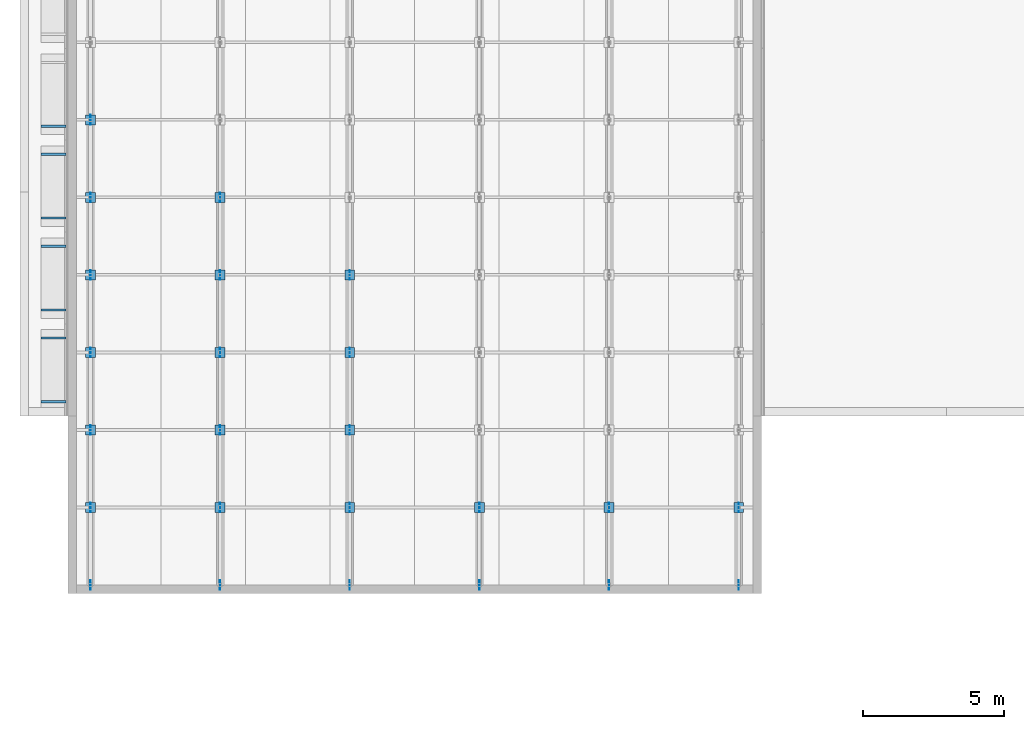
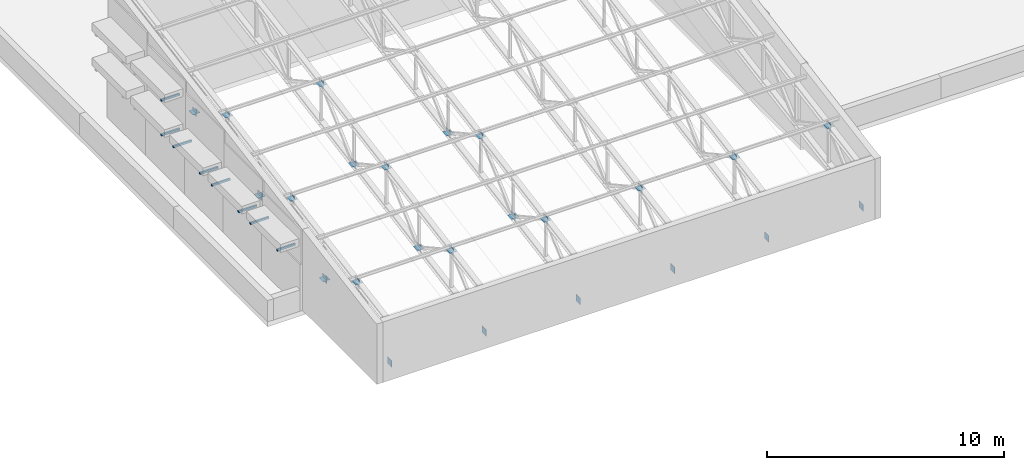
# One storey, part 15 of 22: 50 discrete accessories.
"""IFC4 building model written with IfcOpenShell, lengths in metres."""

from ifc_helpers import new_model, si_unit, direction, frame, origin, origin_2d, place, context, subcontext, project, spatial, rectangle, extrude, material, layer, layer_set, type_object, element, save


model = new_model("IFC4")

# Units and contexts
model_context = context("Model", 3, precision=1e-05, world=origin(), true_north=direction((0.0, 1.0)))
body_context = subcontext(model_context, "Body", "Model", "MODEL_VIEW")
ifc_project = project(units=[si_unit("LENGTHUNIT", "METRE"), si_unit("AREAUNIT", "SQUARE_METRE"), si_unit("VOLUMEUNIT", "CUBIC_METRE"), si_unit("PLANEANGLEUNIT", "RADIAN"), si_unit("MASSUNIT", "GRAM", prefix="KILO")], contexts=[model_context])

# Site, building, storey
site_placement = place(None, origin())
site = spatial("IfcSite", under=ifc_project, at=site_placement, CompositionType="ELEMENT")
building_placement = place(site_placement, origin())
building = spatial("IfcBuilding", under=site, at=building_placement, Name="Lunette Opera House", CompositionType="ELEMENT")
storey_placement = place(building_placement, frame((0.0, 0.0, 28.0)))
storey = spatial("IfcBuildingStorey", under=building, at=storey_placement, Name="L05", CompositionType="ELEMENT", Elevation=28.0)

# Discrete accessories
ifc_material_1 = material(Name="Steel S355", Category="steel")
ifc_layer = layer(ifc_material_1, 0.011962890625)
ifc_layer_set = layer_set([ifc_layer], Name="Steel S355")
discrete_accessory_type_1 = type_object("IfcDiscreteAccessoryType", Name="BRACE GUSSET PLATE 12", PredefinedType="USERDEFINED", material=ifc_layer_set)
for number, where, z_axis, x_axis, name in (
    (1, (10.5, 66.0, 0.52001953125), (0.0, 0.0, 1.0), (0.0, 1.0, 0.0), "Gusset plate 350"),
    (2, (10.5, 68.75, 3.0048828125), (0.0, 0.0, 1.0), (0.0, 1.0, 0.0), "Gusset plate 351"),
):
    element("IfcDiscreteAccessory", number, at=place(storey_placement, frame(where, z_axis=z_axis, x_axis=x_axis)), inside=storey, type_object=discrete_accessory_type_1, Name=name, ObjectType="GUSSET PLATE", PredefinedType="USERDEFINED", context=body_context, shape_type="SweptSolid", body=[
        extrude(rectangle(XDim=0.35009765625, YDim=0.011962890625, at=origin_2d()), origin(), (0.0, 0.0, 1.0), 0.35009765625),
    ])
for number, where, z_axis, x_axis, name in (
    (3, (10.5, 68.75, 3.173828125), (0.0, 0.0, 1.0), (0.0, 1.0, 0.0), "Gusset plate 352"),
    (4, (10.5, 71.5, 1.6591796875), (0.0, 0.0, 1.0), (0.0, 1.0, 0.0), "Gusset plate 353"),
):
    element("IfcDiscreteAccessory", number, at=place(storey_placement, frame(where, z_axis=z_axis, x_axis=x_axis)), inside=storey, type_object=discrete_accessory_type_1, Name=name, ObjectType="GUSSET PLATE", PredefinedType="USERDEFINED", context=body_context, shape_type="SweptSolid", body=[
        extrude(rectangle(XDim=0.35009765625, YDim=0.35009765625, at=origin_2d()), origin(), (0.0, 0.0, 1.0), 0.011962890625),
    ])
for number, where, z_axis, x_axis, name in (
    (5, (10.5, 71.5, 1.489990234375), (0.0, 0.0, 1.0), (0.0, 1.0, 0.0), "Gusset plate 354"),
    (6, (10.5, 74.25, 3.974853515625), (0.0, 0.0, 1.0), (0.0, 1.0, 0.0), "Gusset plate 355"),
):
    element("IfcDiscreteAccessory", number, at=place(storey_placement, frame(where, z_axis=z_axis, x_axis=x_axis)), inside=storey, type_object=discrete_accessory_type_1, Name=name, ObjectType="GUSSET PLATE", PredefinedType="USERDEFINED", context=body_context, shape_type="SweptSolid", body=[
        extrude(rectangle(XDim=0.35009765625, YDim=0.011962890625, at=origin_2d()), origin(), (0.0, 0.0, 1.0), 0.35009765625),
    ])
for number, where, z_axis, x_axis, name in (
    (7, (10.5, 74.25, 4.14404296875), (0.0, 0.0, 1.0), (0.0, 1.0, 0.0), "Gusset plate 356"),
    (8, (10.5, 77.0, 2.62890625), (0.0, 0.0, 1.0), (0.0, 1.0, 0.0), "Gusset plate 357"),
):
    element("IfcDiscreteAccessory", number, at=place(storey_placement, frame(where, z_axis=z_axis, x_axis=x_axis)), inside=storey, type_object=discrete_accessory_type_1, Name=name, ObjectType="GUSSET PLATE", PredefinedType="USERDEFINED", context=body_context, shape_type="SweptSolid", body=[
        extrude(rectangle(XDim=0.35009765625, YDim=0.35009765625, at=origin_2d()), origin(), (0.0, 0.0, 1.0), 0.011962890625),
    ])
for number, where, z_axis, x_axis, name in (
    (9, (10.5, 77.0, 2.4599609375), (0.0, 0.0, 1.0), (0.0, 1.0, 0.0), "Gusset plate 358"),
    (10, (10.5, 79.75, 4.94384765625), (0.0, 0.0, 1.0), (0.0, 1.0, 0.0), "Gusset plate 359"),
):
    element("IfcDiscreteAccessory", number, at=place(storey_placement, frame(where, z_axis=z_axis, x_axis=x_axis)), inside=storey, type_object=discrete_accessory_type_1, Name=name, ObjectType="GUSSET PLATE", PredefinedType="USERDEFINED", context=body_context, shape_type="SweptSolid", body=[
        extrude(rectangle(XDim=0.35009765625, YDim=0.011962890625, at=origin_2d()), origin(), (0.0, 0.0, 1.0), 0.35009765625),
    ])
for number, where, z_axis, x_axis, name in (
    (11, (10.5, 79.75, 5.11279296875), (0.0, 0.0, 1.0), (0.0, 1.0, 0.0), "Gusset plate 360"),
    (12, (10.5, 82.5, 3.59814453125), (0.0, 0.0, 1.0), (0.0, 1.0, 0.0), "Gusset plate 361"),
):
    element("IfcDiscreteAccessory", number, at=place(storey_placement, frame(where, z_axis=z_axis, x_axis=x_axis)), inside=storey, type_object=discrete_accessory_type_1, Name=name, ObjectType="GUSSET PLATE", PredefinedType="USERDEFINED", context=body_context, shape_type="SweptSolid", body=[
        extrude(rectangle(XDim=0.35009765625, YDim=0.35009765625, at=origin_2d()), origin(), (0.0, 0.0, 1.0), 0.011962890625),
    ])
for number, where, z_axis, x_axis, name in (
    (13, (10.5, 82.5, 3.428955078125), (0.0, 0.0, 1.0), (0.0, 1.0, 0.0), "Gusset plate 362"),
    (14, (15.10009765625, 66.0, 0.52001953125), (0.0, 0.0, 1.0), (0.0, 1.0, 0.0), "Gusset plate 366"),
    (15, (15.10009765625, 68.75, 3.0048828125), (0.0, 0.0, 1.0), (0.0, 1.0, 0.0), "Gusset plate 367"),
):
    element("IfcDiscreteAccessory", number, at=place(storey_placement, frame(where, z_axis=z_axis, x_axis=x_axis)), inside=storey, type_object=discrete_accessory_type_1, Name=name, ObjectType="GUSSET PLATE", PredefinedType="USERDEFINED", context=body_context, shape_type="SweptSolid", body=[
        extrude(rectangle(XDim=0.35009765625, YDim=0.011962890625, at=origin_2d()), origin(), (0.0, 0.0, 1.0), 0.35009765625),
    ])
for number, where, z_axis, x_axis, name in (
    (16, (15.10009765625, 68.75, 3.173828125), (0.0, 0.0, 1.0), (0.0, 1.0, 0.0), "Gusset plate 368"),
    (17, (15.10009765625, 71.5, 1.6591796875), (0.0, 0.0, 1.0), (0.0, 1.0, 0.0), "Gusset plate 369"),
):
    element("IfcDiscreteAccessory", number, at=place(storey_placement, frame(where, z_axis=z_axis, x_axis=x_axis)), inside=storey, type_object=discrete_accessory_type_1, Name=name, ObjectType="GUSSET PLATE", PredefinedType="USERDEFINED", context=body_context, shape_type="SweptSolid", body=[
        extrude(rectangle(XDim=0.35009765625, YDim=0.35009765625, at=origin_2d()), origin(), (0.0, 0.0, 1.0), 0.011962890625),
    ])
for number, where, z_axis, x_axis, name in (
    (18, (15.10009765625, 71.5, 1.489990234375), (0.0, 0.0, 1.0), (0.0, 1.0, 0.0), "Gusset plate 370"),
    (19, (15.10009765625, 74.25, 3.974853515625), (0.0, 0.0, 1.0), (0.0, 1.0, 0.0), "Gusset plate 371"),
):
    element("IfcDiscreteAccessory", number, at=place(storey_placement, frame(where, z_axis=z_axis, x_axis=x_axis)), inside=storey, type_object=discrete_accessory_type_1, Name=name, ObjectType="GUSSET PLATE", PredefinedType="USERDEFINED", context=body_context, shape_type="SweptSolid", body=[
        extrude(rectangle(XDim=0.35009765625, YDim=0.011962890625, at=origin_2d()), origin(), (0.0, 0.0, 1.0), 0.35009765625),
    ])
for number, where, z_axis, x_axis, name in (
    (20, (15.10009765625, 74.25, 4.14404296875), (0.0, 0.0, 1.0), (0.0, 1.0, 0.0), "Gusset plate 372"),
    (21, (15.10009765625, 77.0, 2.62890625), (0.0, 0.0, 1.0), (0.0, 1.0, 0.0), "Gusset plate 373"),
):
    element("IfcDiscreteAccessory", number, at=place(storey_placement, frame(where, z_axis=z_axis, x_axis=x_axis)), inside=storey, type_object=discrete_accessory_type_1, Name=name, ObjectType="GUSSET PLATE", PredefinedType="USERDEFINED", context=body_context, shape_type="SweptSolid", body=[
        extrude(rectangle(XDim=0.35009765625, YDim=0.35009765625, at=origin_2d()), origin(), (0.0, 0.0, 1.0), 0.011962890625),
    ])
for number, where, z_axis, x_axis, name in (
    (22, (15.10009765625, 77.0, 2.4599609375), (0.0, 0.0, 1.0), (0.0, 1.0, 0.0), "Gusset plate 374"),
    (23, (15.10009765625, 79.75, 4.94384765625), (0.0, 0.0, 1.0), (0.0, 1.0, 0.0), "Gusset plate 375"),
):
    element("IfcDiscreteAccessory", number, at=place(storey_placement, frame(where, z_axis=z_axis, x_axis=x_axis)), inside=storey, type_object=discrete_accessory_type_1, Name=name, ObjectType="GUSSET PLATE", PredefinedType="USERDEFINED", context=body_context, shape_type="SweptSolid", body=[
        extrude(rectangle(XDim=0.35009765625, YDim=0.011962890625, at=origin_2d()), origin(), (0.0, 0.0, 1.0), 0.35009765625),
    ])
discrete_accessory_1_placement = place(storey_placement, frame((15.10009765625, 79.75, 5.11279296875), z_axis=(0.0, 0.0, 1.0), x_axis=(0.0, 1.0, 0.0)))
element("IfcDiscreteAccessory", 24, at=discrete_accessory_1_placement, inside=storey, type_object=discrete_accessory_type_1, Name="Gusset plate 376", ObjectType="GUSSET PLATE", PredefinedType="USERDEFINED", context=body_context, shape_type="SweptSolid", body=[
    extrude(rectangle(XDim=0.35009765625, YDim=0.35009765625, at=origin_2d()), origin(), (0.0, 0.0, 1.0), 0.011962890625),
])
for number, where, z_axis, x_axis, name in (
    (25, (19.699951171875, 66.0, 0.52001953125), (0.0, 0.0, 1.0), (0.0, 1.0, 0.0), "Gusset plate 382"),
    (26, (19.699951171875, 68.75, 3.0048828125), (0.0, 0.0, 1.0), (0.0, 1.0, 0.0), "Gusset plate 383"),
):
    element("IfcDiscreteAccessory", number, at=place(storey_placement, frame(where, z_axis=z_axis, x_axis=x_axis)), inside=storey, type_object=discrete_accessory_type_1, Name=name, ObjectType="GUSSET PLATE", PredefinedType="USERDEFINED", context=body_context, shape_type="SweptSolid", body=[
        extrude(rectangle(XDim=0.35009765625, YDim=0.011962890625, at=origin_2d()), origin(), (0.0, 0.0, 1.0), 0.35009765625),
    ])
for number, where, z_axis, x_axis, name in (
    (27, (19.699951171875, 68.75, 3.173828125), (0.0, 0.0, 1.0), (0.0, 1.0, 0.0), "Gusset plate 384"),
    (28, (19.699951171875, 71.5, 1.6591796875), (0.0, 0.0, 1.0), (0.0, 1.0, 0.0), "Gusset plate 385"),
):
    element("IfcDiscreteAccessory", number, at=place(storey_placement, frame(where, z_axis=z_axis, x_axis=x_axis)), inside=storey, type_object=discrete_accessory_type_1, Name=name, ObjectType="GUSSET PLATE", PredefinedType="USERDEFINED", context=body_context, shape_type="SweptSolid", body=[
        extrude(rectangle(XDim=0.35009765625, YDim=0.35009765625, at=origin_2d()), origin(), (0.0, 0.0, 1.0), 0.011962890625),
    ])
for number, where, z_axis, x_axis, name in (
    (29, (19.699951171875, 71.5, 1.489990234375), (0.0, 0.0, 1.0), (0.0, 1.0, 0.0), "Gusset plate 386"),
    (30, (19.699951171875, 74.25, 3.974853515625), (0.0, 0.0, 1.0), (0.0, 1.0, 0.0), "Gusset plate 387"),
):
    element("IfcDiscreteAccessory", number, at=place(storey_placement, frame(where, z_axis=z_axis, x_axis=x_axis)), inside=storey, type_object=discrete_accessory_type_1, Name=name, ObjectType="GUSSET PLATE", PredefinedType="USERDEFINED", context=body_context, shape_type="SweptSolid", body=[
        extrude(rectangle(XDim=0.35009765625, YDim=0.011962890625, at=origin_2d()), origin(), (0.0, 0.0, 1.0), 0.35009765625),
    ])
for number, where, z_axis, x_axis, name in (
    (31, (19.699951171875, 74.25, 4.14404296875), (0.0, 0.0, 1.0), (0.0, 1.0, 0.0), "Gusset plate 388"),
    (32, (19.699951171875, 77.0, 2.62890625), (0.0, 0.0, 1.0), (0.0, 1.0, 0.0), "Gusset plate 389"),
):
    element("IfcDiscreteAccessory", number, at=place(storey_placement, frame(where, z_axis=z_axis, x_axis=x_axis)), inside=storey, type_object=discrete_accessory_type_1, Name=name, ObjectType="GUSSET PLATE", PredefinedType="USERDEFINED", context=body_context, shape_type="SweptSolid", body=[
        extrude(rectangle(XDim=0.35009765625, YDim=0.35009765625, at=origin_2d()), origin(), (0.0, 0.0, 1.0), 0.011962890625),
    ])
for number, where, z_axis, x_axis, name in (
    (33, (19.699951171875, 77.0, 2.4599609375), (0.0, 0.0, 1.0), (0.0, 1.0, 0.0), "Gusset plate 390"),
    (34, (24.300048828125, 66.0, 0.52001953125), (0.0, 0.0, 1.0), (0.0, 1.0, 0.0), "Gusset plate 398"),
    (35, (24.300048828125, 68.75, 3.0048828125), (0.0, 0.0, 1.0), (0.0, 1.0, 0.0), "Gusset plate 399"),
):
    element("IfcDiscreteAccessory", number, at=place(storey_placement, frame(where, z_axis=z_axis, x_axis=x_axis)), inside=storey, type_object=discrete_accessory_type_1, Name=name, ObjectType="GUSSET PLATE", PredefinedType="USERDEFINED", context=body_context, shape_type="SweptSolid", body=[
        extrude(rectangle(XDim=0.35009765625, YDim=0.011962890625, at=origin_2d()), origin(), (0.0, 0.0, 1.0), 0.35009765625),
    ])
discrete_accessory_2_placement = place(storey_placement, frame((24.300048828125, 68.75, 3.173828125), z_axis=(0.0, 0.0, 1.0), x_axis=(0.0, 1.0, 0.0)))
element("IfcDiscreteAccessory", 36, at=discrete_accessory_2_placement, inside=storey, type_object=discrete_accessory_type_1, Name="Gusset plate 400", ObjectType="GUSSET PLATE", PredefinedType="USERDEFINED", context=body_context, shape_type="SweptSolid", body=[
    extrude(rectangle(XDim=0.35009765625, YDim=0.35009765625, at=origin_2d()), origin(), (0.0, 0.0, 1.0), 0.011962890625),
])
for number, where, z_axis, x_axis, name in (
    (37, (28.89990234375, 66.0, 0.52001953125), (0.0, 0.0, 1.0), (0.0, 1.0, 0.0), "Gusset plate 414"),
    (38, (28.89990234375, 68.75, 3.0048828125), (0.0, 0.0, 1.0), (0.0, 1.0, 0.0), "Gusset plate 415"),
):
    element("IfcDiscreteAccessory", number, at=place(storey_placement, frame(where, z_axis=z_axis, x_axis=x_axis)), inside=storey, type_object=discrete_accessory_type_1, Name=name, ObjectType="GUSSET PLATE", PredefinedType="USERDEFINED", context=body_context, shape_type="SweptSolid", body=[
        extrude(rectangle(XDim=0.35009765625, YDim=0.011962890625, at=origin_2d()), origin(), (0.0, 0.0, 1.0), 0.35009765625),
    ])
discrete_accessory_3_placement = place(storey_placement, frame((28.89990234375, 68.75, 3.173828125), z_axis=(0.0, 0.0, 1.0), x_axis=(0.0, 1.0, 0.0)))
element("IfcDiscreteAccessory", 39, at=discrete_accessory_3_placement, inside=storey, type_object=discrete_accessory_type_1, Name="Gusset plate 416", ObjectType="GUSSET PLATE", PredefinedType="USERDEFINED", context=body_context, shape_type="SweptSolid", body=[
    extrude(rectangle(XDim=0.35009765625, YDim=0.35009765625, at=origin_2d()), origin(), (0.0, 0.0, 1.0), 0.011962890625),
])
for number, where, z_axis, x_axis, name in (
    (40, (33.5, 66.0, 0.52001953125), (0.0, 0.0, 1.0), (0.0, 1.0, 0.0), "Gusset plate 430"),
    (41, (33.5, 68.75, 3.0048828125), (0.0, 0.0, 1.0), (0.0, 1.0, 0.0), "Gusset plate 431"),
):
    element("IfcDiscreteAccessory", number, at=place(storey_placement, frame(where, z_axis=z_axis, x_axis=x_axis)), inside=storey, type_object=discrete_accessory_type_1, Name=name, ObjectType="GUSSET PLATE", PredefinedType="USERDEFINED", context=body_context, shape_type="SweptSolid", body=[
        extrude(rectangle(XDim=0.35009765625, YDim=0.011962890625, at=origin_2d()), origin(), (0.0, 0.0, 1.0), 0.35009765625),
    ])
discrete_accessory_4_placement = place(storey_placement, frame((33.5, 68.75, 3.173828125), z_axis=(0.0, 0.0, 1.0), x_axis=(0.0, 1.0, 0.0)))
element("IfcDiscreteAccessory", 42, at=discrete_accessory_4_placement, inside=storey, type_object=discrete_accessory_type_1, Name="Gusset plate 432", ObjectType="GUSSET PLATE", PredefinedType="USERDEFINED", context=body_context, shape_type="SweptSolid", body=[
    extrude(rectangle(XDim=0.35009765625, YDim=0.35009765625, at=origin_2d()), origin(), (0.0, 0.0, 1.0), 0.011962890625),
])
ifc_material_2 = material(Name="Galvanised steel", Category="steel")
discrete_accessory_type_2 = type_object("IfcDiscreteAccessoryType", Name="FIN BRACKET STEEL", PredefinedType="BRACKET", material=ifc_material_2)
for number, where, z_axis, x_axis, name in (
    (43, (9.18994140625, 72.5, 3.099853515625), (0.0, 0.0, 1.0), (-1.0, 0.0, 0.0), "Blade bracket loft W3 0 1"),
    (44, (9.18994140625, 74.760009765625, 3.099853515625), (0.0, 0.0, 1.0), (-1.0, 0.0, 0.0), "Blade bracket loft W3 0 2"),
    (45, (9.18994140625, 75.760009765625, 3.099853515625), (0.0, 0.0, 1.0), (-1.0, 0.0, 0.0), "Blade bracket loft W3 1 1"),
    (46, (9.18994140625, 78.02001953125, 3.099853515625), (0.0, 0.0, 1.0), (-1.0, 0.0, 0.0), "Blade bracket loft W3 1 2"),
    (47, (9.18994140625, 79.02001953125, 3.099853515625), (0.0, 0.0, 1.0), (-1.0, 0.0, 0.0), "Blade bracket loft W3 2 1"),
    (48, (9.18994140625, 81.280029296875, 3.099853515625), (0.0, 0.0, 1.0), (-1.0, 0.0, 0.0), "Blade bracket loft W3 2 2"),
    (49, (9.18994140625, 82.280029296875, 3.099853515625), (0.0, 0.0, 1.0), (-1.0, 0.0, 0.0), "Blade bracket loft W3 3 1"),
    (50, (9.18994140625, 82.280029296875, 4.89990234375), (0.0, 0.0, 1.0), (-1.0, 0.0, 0.0), "Blade bracket loft W3 3 1"),
):
    element("IfcDiscreteAccessory", number, at=place(storey_placement, frame(where, z_axis=z_axis, x_axis=x_axis)), inside=storey, type_object=discrete_accessory_type_2, Name=name, PredefinedType="BRACKET", context=body_context, shape_type="SweptSolid", body=[
        extrude(rectangle(XDim=0.89990234375, YDim=0.080078125, at=origin_2d()), origin(), (0.0, 0.0, 1.0), 0.10009765625),
    ])

save(model, "model.ifc")
